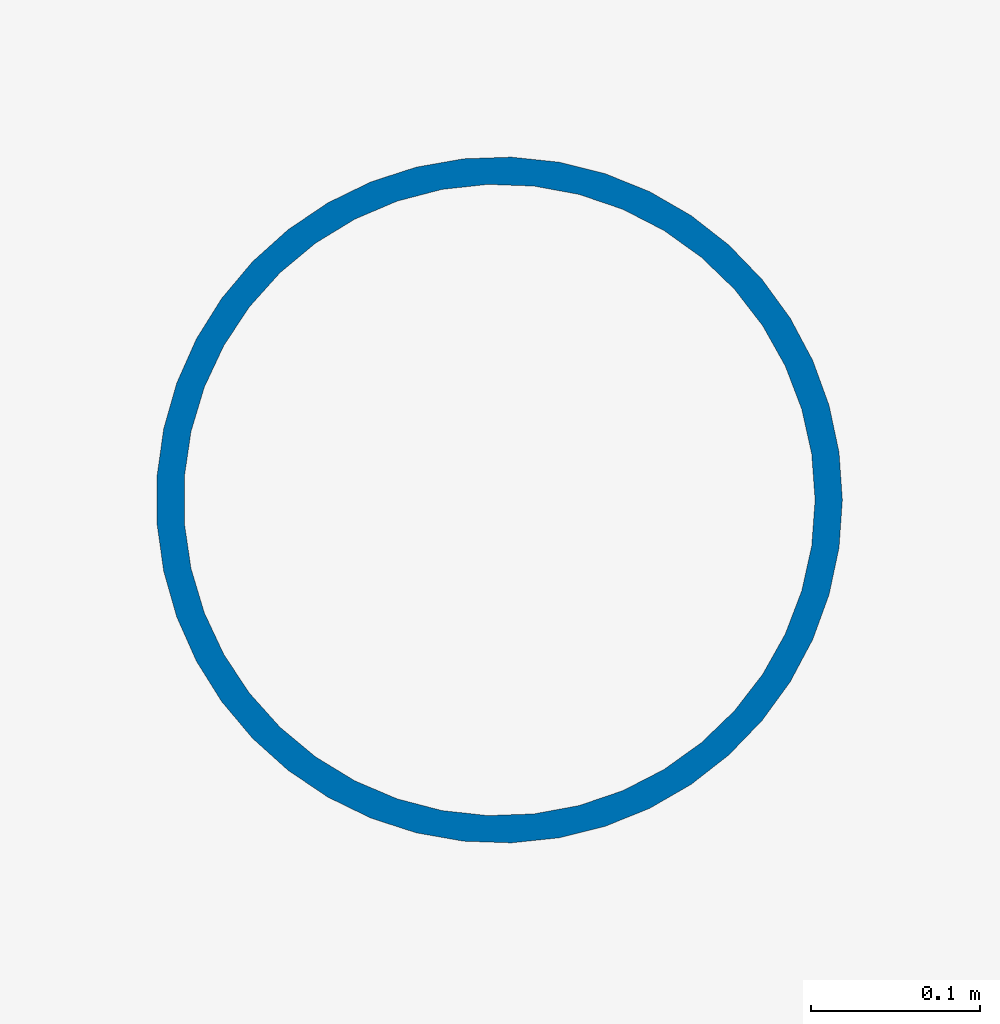
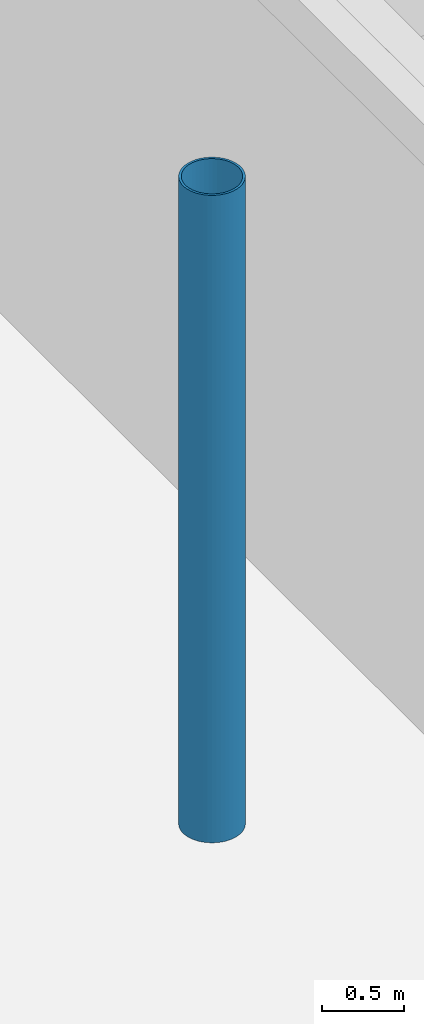
# One storey, part 5 of 91: 1 column.
"""IFC4 building model written with IfcOpenShell, lengths in metres."""

from ifc_helpers import new_model, si_unit, direction, frame, origin, origin_2d, place, context, subcontext, project, spatial, hollow_circle, extrude, material, material_profile, profile_set, type_object, element, save


model = new_model("IFC4")

# Units and contexts
model_context = context("Model", 3, precision=1e-05, world=origin(), true_north=direction((0.0, 1.0)))
body_context = subcontext(model_context, "Body", "Model", "MODEL_VIEW")
ifc_project = project(units=[si_unit("LENGTHUNIT", "METRE"), si_unit("AREAUNIT", "SQUARE_METRE"), si_unit("VOLUMEUNIT", "CUBIC_METRE"), si_unit("PLANEANGLEUNIT", "RADIAN"), si_unit("MASSUNIT", "GRAM", prefix="KILO")], contexts=[model_context])

# Site, building, storey
site_placement = place(None, origin())
site = spatial("IfcSite", under=ifc_project, at=site_placement, CompositionType="ELEMENT")
building_placement = place(site_placement, origin())
building = spatial("IfcBuilding", under=site, at=building_placement, Name="Magnolia Steps Interchange", CompositionType="ELEMENT")
storey_placement = place(building_placement, origin())
storey = spatial("IfcBuildingStorey", under=building, at=storey_placement, Name="L00", CompositionType="ELEMENT", Elevation=0.0)

# Column
ifc_material = material(Name="Steel Q355B", Category="steel")
ifc_material_profile = material_profile(ifc_material, hollow_circle(Radius=0.202880859375, WallThickness=0.01611328125, at=origin_2d()), Name="CHS406x16")
ifc_profile_set = profile_set([ifc_material_profile], Name="Steel Q355B")
column_type = type_object("IfcColumnType", Name="Truss tip prop CHS406x16", PredefinedType="COLUMN", material=ifc_profile_set)
column_placement = place(storey_placement, frame((127.086181640625, 33.313720703125, 0.0), z_axis=(0.0, 0.0, 1.0), x_axis=(1.0, 0.0, 0.0)))
element("IfcColumn", 1, at=column_placement, inside=storey, type_object=column_type, Name="Tip prop SP-H-SE", PredefinedType="COLUMN", context=body_context, shape_type="SweptSolid", body=[
    extrude(hollow_circle(Radius=0.202880859375, WallThickness=0.01611328125, at=origin_2d()), origin(), (0.0, 0.0, 1.0), 4.800048828125),
])

save(model, "model.ifc")
